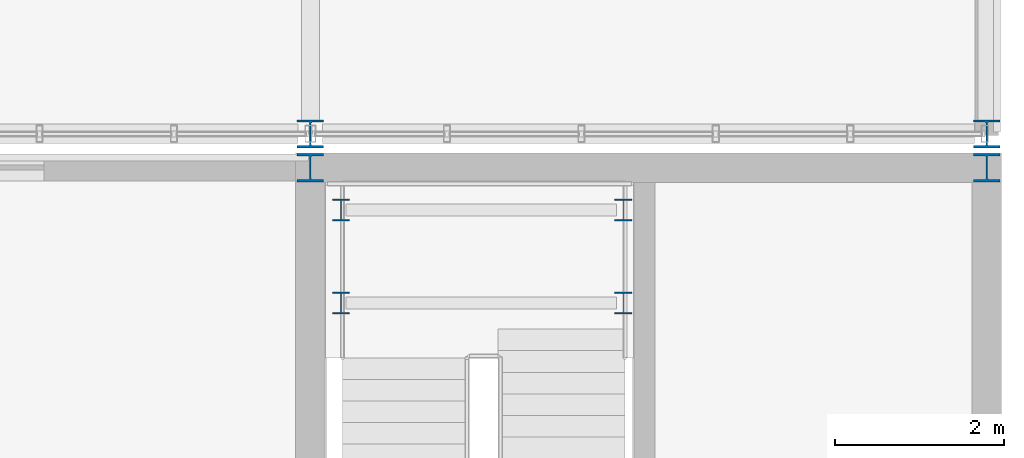
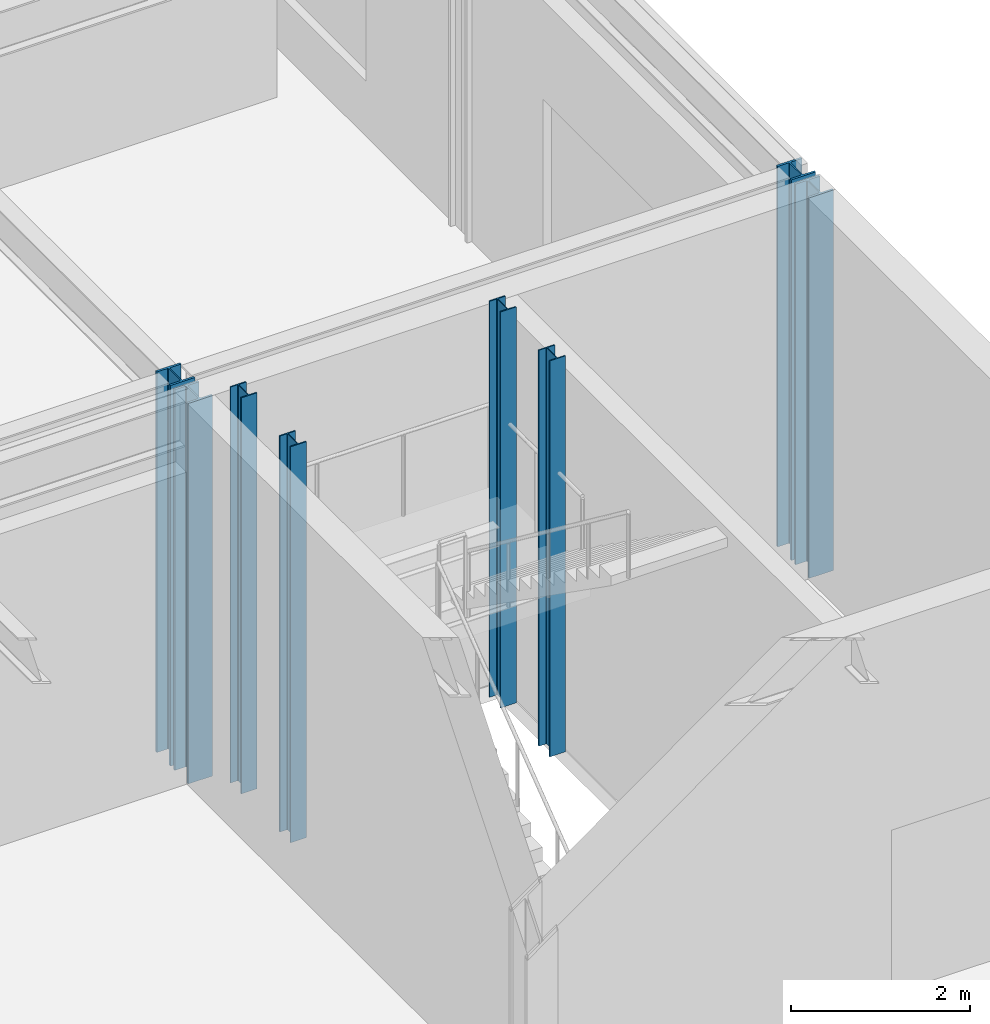
# One storey, part 18 of 94: 8 columns.
"""IFC4 building model written with IfcOpenShell, lengths in metres."""

from ifc_helpers import new_model, si_unit, direction, frame, origin, origin_2d, place, context, subcontext, project, spatial, i_section, extrude, material, material_profile, profile_set, type_object, element, save


model = new_model("IFC4")

# Units and contexts
model_context = context("Model", 3, precision=1e-05, world=origin(), true_north=direction((0.0, 1.0)))
body_context = subcontext(model_context, "Body", "Model", "MODEL_VIEW")
ifc_project = project(units=[si_unit("LENGTHUNIT", "METRE"), si_unit("AREAUNIT", "SQUARE_METRE"), si_unit("VOLUMEUNIT", "CUBIC_METRE"), si_unit("PLANEANGLEUNIT", "RADIAN"), si_unit("MASSUNIT", "GRAM", prefix="KILO")], contexts=[model_context])

# Site, building, storey
site_placement = place(None, origin())
site = spatial("IfcSite", under=ifc_project, at=site_placement, CompositionType="ELEMENT")
building_placement = place(site_placement, origin())
building = spatial("IfcBuilding", under=site, at=building_placement, Name="Zulena Civic Courthouse", CompositionType="ELEMENT")
storey_placement = place(building_placement, frame((0.0, 0.0, 5.39990234375)))
storey = spatial("IfcBuildingStorey", under=building, at=storey_placement, Name="L01", CompositionType="ELEMENT", Elevation=5.39990234375)

# Columns
ifc_material = material(Name="Steel ASTM A992 Grade 50", Category="steel")
ifc_material_profile_1 = material_profile(ifc_material, i_section(OverallWidth=0.2041015625, OverallDepth=0.257080078125, WebThickness=0.0087890625, FlangeThickness=0.015625, FilletRadius=0.0126953125, at=origin_2d()), Name="W10X45")
ifc_profile_set_1 = profile_set([ifc_material_profile_1], Name="Steel ASTM A992 Grade 50")
column_type_1 = type_object("IfcColumnType", Name="Col_W10X45", PredefinedType="COLUMN", material=ifc_profile_set_1)
for number, where, z_axis, x_axis, name in (
    (1, (164.360107421875, 28.800048828125, 0.0), (0.0, 0.0, 1.0), (1.0, 0.0, 0.0), "col:lnd:K1B:L01:0:0"),
    (2, (167.699951171875, 28.800048828125, 0.0), (0.0, 0.0, 1.0), (1.0, 0.0, 0.0), "col:lnd:K1B:L01:0:1"),
    (3, (164.360107421875, 29.89990234375, 0.0), (0.0, 0.0, 1.0), (1.0, 0.0, 0.0), "col:lnd:K1B:L01:1:0"),
    (4, (167.699951171875, 29.89990234375, 0.0), (0.0, 0.0, 1.0), (1.0, 0.0, 0.0), "col:lnd:K1B:L01:1:1"),
):
    element("IfcColumn", number, at=place(storey_placement, frame(where, z_axis=z_axis, x_axis=x_axis)), inside=storey, type_object=column_type_1, Name=name, PredefinedType="COLUMN", context=body_context, shape_type="SweptSolid", body=[
        extrude(i_section(OverallWidth=0.2041015625, OverallDepth=0.257080078125, WebThickness=0.0087890625, FlangeThickness=0.015625, FilletRadius=0.0126953125, at=origin_2d()), origin(), (0.0, 0.0, 1.0), 5.39501953125),
    ])
ifc_material_profile_2 = material_profile(ifc_material, i_section(OverallWidth=0.31298828125, OverallDepth=0.3330078125, WebThickness=0.01806640625, FlangeThickness=0.0283203125, FilletRadius=0.01513671875, at=origin_2d()), Name="W12X120")
ifc_profile_set_2 = profile_set([ifc_material_profile_2], Name="Steel ASTM A992 Grade 50")
column_type_2 = type_object("IfcColumnType", Name="Col_W12X120", PredefinedType="COLUMN", material=ifc_profile_set_2)
for number, where, z_axis, x_axis, name in (
    (5, (164.0, 30.39990234375, 0.0), (0.0, 0.0, 1.0), (1.0, 0.0, 0.0), "col:V1:L01:164.0:30.4"),
    (6, (172.0, 30.39990234375, 0.0), (0.0, 0.0, 1.0), (1.0, 0.0, 0.0), "col:V1:L01:172.0:30.4"),
    (7, (164.0, 30.800048828125, 0.0), (0.0, 0.0, 1.0), (1.0, 0.0, 0.0), "col:V3:L01:164.0:30.8"),
    (8, (172.0, 30.800048828125, 0.0), (0.0, 0.0, 1.0), (1.0, 0.0, 0.0), "col:V3:L01:172.0:30.8"),
):
    element("IfcColumn", number, at=place(storey_placement, frame(where, z_axis=z_axis, x_axis=x_axis)), inside=storey, type_object=column_type_2, Name=name, PredefinedType="COLUMN", context=body_context, shape_type="SweptSolid", body=[
        extrude(i_section(OverallWidth=0.31298828125, OverallDepth=0.3330078125, WebThickness=0.01806640625, FlangeThickness=0.0283203125, FilletRadius=0.01513671875, at=origin_2d()), origin(), (0.0, 0.0, 1.0), 5.18505859375),
    ])

save(model, "model.ifc")
